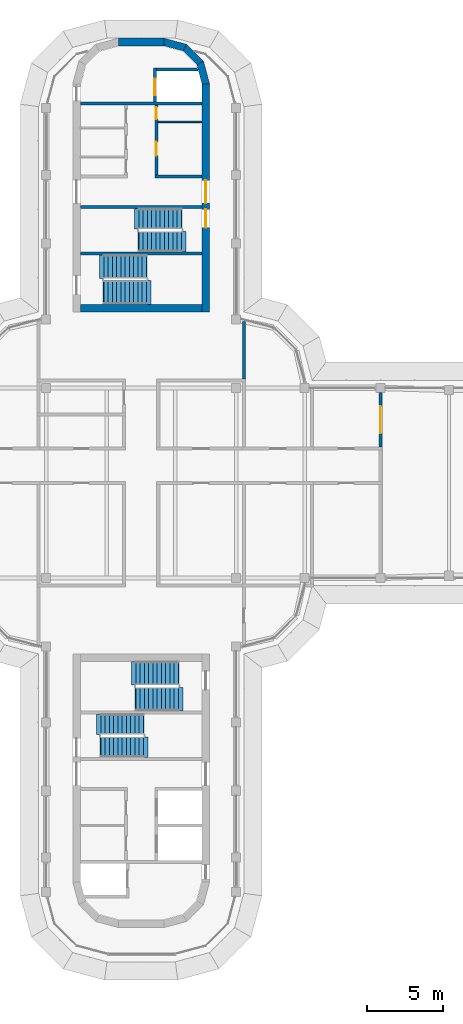
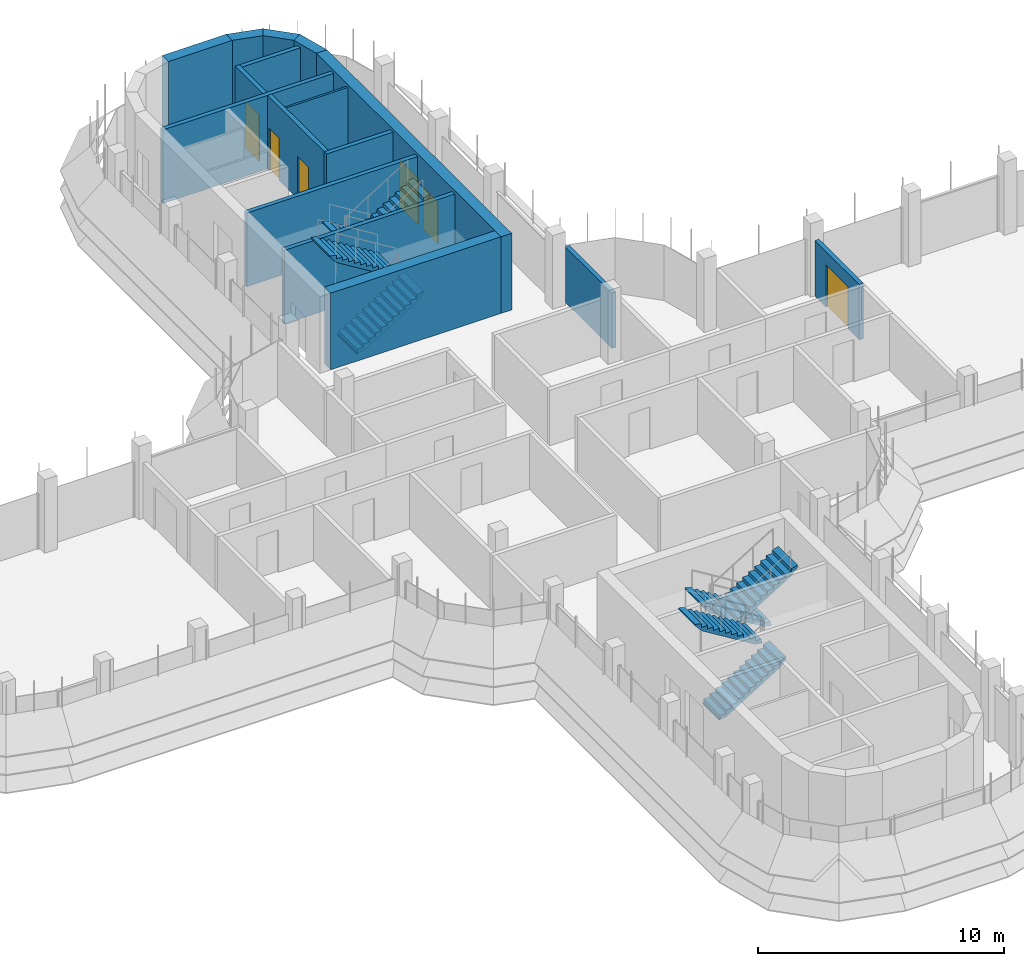
# One storey, part 15 of 19: 16 walls, 8 stair flights, 6 doors, 6 openings, 4 elements without a shape of their own.
"""IFC4 building model written with IfcOpenShell, lengths in metres."""

from ifc_helpers import new_model, si_unit, direction, frame, frame_2d, origin, place, context, subcontext, project, spatial, polyline, rectangle, outline, extrude, material, layer, layer_set, type_object, element, fill, aggregate, save


model = new_model("IFC4")

# Units and contexts
model_context = context("Model", 3, precision=1e-05, world=origin(), true_north=direction((0.0, 1.0)))
body_context = subcontext(model_context, "Body", "Model", "MODEL_VIEW")
ifc_project = project(units=[si_unit("LENGTHUNIT", "METRE"), si_unit("AREAUNIT", "SQUARE_METRE"), si_unit("VOLUMEUNIT", "CUBIC_METRE"), si_unit("PLANEANGLEUNIT", "RADIAN"), si_unit("MASSUNIT", "GRAM", prefix="KILO")], contexts=[model_context])

# Site, building, storey
site_placement = place(None, origin())
site = spatial("IfcSite", under=ifc_project, at=site_placement, CompositionType="ELEMENT")
building_placement = place(site_placement, origin())
building = spatial("IfcBuilding", under=site, at=building_placement, Name="Zarbagh Exchange Tower", CompositionType="ELEMENT")
storey_placement = place(building_placement, frame((0.0, 0.0, 261.199951171875)))
storey = spatial("IfcBuildingStorey", under=building, at=storey_placement, Name="L64", CompositionType="ELEMENT", Elevation=261.199951171875)

# Walls
ifc_material_1 = material(Name="Dense blockwork", Category="masonry")
ifc_layer_1 = layer(ifc_material_1, 0.10009765625)
ifc_layer_set_1 = layer_set([ifc_layer_1], Name="Core partition 100 mm blockwork")
wall_type_1 = type_object("IfcWallType", Name="Core partition 100 mm blockwork", PredefinedType="PARTITIONING", material=ifc_layer_set_1)
wall_1_placement = place(storey_placement, frame((1.10009765625, 23.75, 0.0), z_axis=(0.0, 0.0, 1.0), x_axis=(1.0, 0.0, 0.0)))
element("IfcWall", 1, at=wall_1_placement, inside=storey, type_object=wall_type_1, Name="North core partition wall CUT-E-460", PredefinedType="PARTITIONING", context=body_context, shape_type="SweptSolid", body=[
    extrude(rectangle(XDim=2.89990234375, YDim=0.10009765625, at=frame_2d((1.449951171875, 0.0))), origin(), (0.0, 0.0, 1.0), 3.650146484375),
])
ifc_material_2 = material(Name="Fire-rated plasterboard partition")
ifc_layer_2 = layer(ifc_material_2, 0.199951171875)
ifc_layer_set_2 = layer_set([ifc_layer_2], Name="RATED PARTITION 200")
wall_type_2 = type_object("IfcWallType", Name="RATED PARTITION 200", PredefinedType="PARTITIONING", material=ifc_layer_set_2)
wall_2_placement = place(storey_placement, frame((6.75, 6.85009765625, 0.0), z_axis=(0.0, 0.0, 1.0), x_axis=(0.0, 1.0, 0.0)))
element("IfcWall", 2, at=wall_2_placement, inside=storey, type_object=wall_type_2, Name="Partition W-2721", PredefinedType="PARTITIONING", context=body_context, shape_type="SweptSolid", body=[
    extrude(rectangle(XDim=3.77978515625, YDim=0.199951171875, at=frame_2d((1.889892578125, 0.0))), origin(), (0.0, 0.0, 1.0), 2.75),
])

# Wall, opening, door
wall_3_placement = place(storey_placement, frame((15.75, 5.949951171875, 0.0), z_axis=(0.0, 0.0, 1.0), x_axis=(0.0, -1.0, 0.0)))
wall_3 = element("IfcWall", 3, at=wall_3_placement, inside=storey, type_object=wall_type_2, Name="Partition W-2739", PredefinedType="PARTITIONING", context=body_context, shape_type="SweptSolid", body=[
    extrude(rectangle(XDim=3.599853515625, YDim=0.199951171875, at=frame_2d((1.7998046875, 0.0))), origin(), (0.0, 0.0, 1.0), 2.75),
])
opening_1_placement = place(wall_3_placement, frame((0.89990234375, 0.0, 0.0)))
opening_1 = element("IfcOpeningElement", 4, at=opening_1_placement, cuts=wall_3, Name="Opening D-2701", PredefinedType="OPENING", context=body_context, shape_type="SweptSolid", body=[
    extrude(rectangle(XDim=1.800048828125, YDim=2.10009765625, at=frame_2d((0.89990234375, 1.050048828125))), frame((0.0, 0.10986328125, 0.0), z_axis=(0.0, -1.0, 0.0), x_axis=(1.0, 0.0, 0.0)), (0.0, 0.0, 1.0), 0.219970703125),
])
ifc_material_3 = material(Name="Steel door set", Category="steel")
door_type_1 = type_object("IfcDoorType", Name="FIRE DOUBLE DOOR 1800 X 2100 FD30S", OperationType="DOUBLE_DOOR_SINGLE_SWING", PredefinedType="DOOR", material=ifc_material_3)
door_1_placement = place(opening_1_placement, origin())
door_1 = element("IfcDoor", 5, at=door_1_placement, inside=storey, type_object=door_type_1, Name="Door D-2701", OperationType="DOUBLE_DOOR_SINGLE_SWING", OverallHeight=2.10009765625, OverallWidth=1.800048828125, PredefinedType="DOOR", context=body_context, shape_type="SweptSolid", body=[
    extrude(rectangle(XDim=1.800048828125, YDim=2.10009765625, at=frame_2d((0.89990234375, 1.050048828125))), frame((0.0, 0.02490234375, 0.0), z_axis=(0.0, -1.0, 0.0), x_axis=(1.0, 0.0, 0.0)), (0.0, 0.0, 1.0), 0.050048828125),
])
fill(opening_1, door_1)

# Walls
ifc_material_4 = material(Name="Concrete C40/50", Category="concrete")
ifc_layer_3 = layer(ifc_material_4, 0.5)
ifc_layer_set_3 = layer_set([ifc_layer_3], Name="RC core corner wall 500 C40/50")
wall_type_3 = type_object("IfcWallType", Name="RC core corner wall 500 C40/50", PredefinedType="SHEAR", material=ifc_layer_set_3)
wall_4_placement = place(storey_placement, origin())
element("IfcWall", 6, at=wall_4_placement, inside=storey, type_object=wall_type_3, Name="CW10 core N corner E", PredefinedType="SHEAR", context=body_context, shape_type="SweptSolid", body=[
    extrude(outline(polyline([(4.5, 26.25), (4.09814453125, 27.75), (3.6650390625, 27.5), (4.0, 26.25), (4.5, 26.25)])), origin(), (0.0, 0.0, 1.0), 3.800048828125),
])
wall_5_placement = place(storey_placement, origin())
element("IfcWall", 7, at=wall_5_placement, inside=storey, type_object=wall_type_3, Name="CW10 core N corner E", PredefinedType="SHEAR", context=body_context, shape_type="SweptSolid", body=[
    extrude(outline(polyline([(4.09814453125, 27.75), (3.0, 28.84814453125), (2.75, 28.4150390625), (3.6650390625, 27.5), (4.09814453125, 27.75)])), origin(), (0.0, 0.0, 1.0), 3.800048828125),
])
wall_6_placement = place(storey_placement, origin())
element("IfcWall", 8, at=wall_6_placement, inside=storey, type_object=wall_type_3, Name="CW10 core N corner E", PredefinedType="SHEAR", context=body_context, shape_type="SweptSolid", body=[
    extrude(outline(polyline([(3.0, 28.84814453125), (1.5, 29.25), (1.5, 28.75), (2.75, 28.4150390625), (3.0, 28.84814453125)])), origin(), (0.0, 0.0, 1.0), 3.800048828125),
])

# Wall, openings, doors
ifc_layer_4 = layer(ifc_material_4, 0.5)
ifc_layer_set_4 = layer_set([ifc_layer_4], Name="RC core wall 500 C40/50")
wall_type_4 = type_object("IfcWallType", Name="RC core wall 500 C40/50", PredefinedType="SHEAR", material=ifc_layer_set_4)
wall_7_placement = place(storey_placement, frame((4.25, 11.25, 0.0), z_axis=(0.0, 0.0, 1.0), x_axis=(0.0, 1.0, 0.0)))
wall_7 = element("IfcWall", 9, at=wall_7_placement, inside=storey, type_object=wall_type_4, Name="CW9 core N E", PredefinedType="SHEAR", context=body_context, shape_type="SweptSolid", body=[
    extrude(rectangle(XDim=15.0, YDim=0.5, at=frame_2d((7.5, 0.0))), origin(), (0.0, 0.0, 1.0), 3.800048828125),
])
opening_2_placement = place(wall_7_placement, frame((7.14990234375, 0.0, 0.0)))
opening_2 = element("IfcOpeningElement", 10, at=opening_2_placement, cuts=wall_7, Name="Opening CD1-1500", PredefinedType="OPENING", context=body_context, shape_type="SweptSolid", body=[
    extrude(rectangle(XDim=1.5, YDim=2.300048828125, at=frame_2d((0.75, 1.14990234375))), frame((0.0, 0.260009765625, 0.0), z_axis=(0.0, -1.0, 0.0), x_axis=(1.0, 0.0, 0.0)), (0.0, 0.0, 1.0), 0.52001953125),
])
opening_3_placement = place(wall_7_placement, frame((5.550048828125, 0.0, 0.0)))
opening_3 = element("IfcOpeningElement", 11, at=opening_3_placement, cuts=wall_7, Name="Opening SD1-1200", PredefinedType="OPENING", context=body_context, shape_type="SweptSolid", body=[
    extrude(rectangle(XDim=1.199951171875, YDim=2.10009765625, at=frame_2d((0.60009765625, 1.050048828125))), frame((0.0, 0.260009765625, 0.0), z_axis=(0.0, -1.0, 0.0), x_axis=(1.0, 0.0, 0.0)), (0.0, 0.0, 1.0), 0.52001953125),
])
ifc_material_5 = material(Name="Steel", Category="steel")
door_type_2 = type_object("IfcDoorType", Name="Exit stair door 1200 x 2100", OperationType="NOTDEFINED", PredefinedType="DOOR", material=ifc_material_5)
door_2_placement = place(opening_3_placement, origin())
door_2 = element("IfcDoor", 12, at=door_2_placement, inside=storey, type_object=door_type_2, Name="North core stair door ST1", OperationType="SINGLE_SWING_LEFT", OverallHeight=2.10009765625, OverallWidth=1.199951171875, PredefinedType="DOOR", context=body_context, shape_type="SweptSolid", body=[
    extrude(rectangle(XDim=1.199951171875, YDim=2.10009765625, at=frame_2d((0.60009765625, 1.050048828125))), frame((0.0, 0.02490234375, 0.0), z_axis=(0.0, -1.0, 0.0), x_axis=(1.0, 0.0, 0.0)), (0.0, 0.0, 1.0), 0.050048828125),
])
fill(opening_3, door_2)
door_type_3 = type_object("IfcDoorType", Name="Lift lobby double door 1500 x 2300", OperationType="NOTDEFINED", PredefinedType="DOOR", material=ifc_material_5)
door_3_placement = place(opening_2_placement, origin())
door_3 = element("IfcDoor", 13, at=door_3_placement, inside=storey, type_object=door_type_3, Name="North core lift lobby door LOBBY-E", OperationType="DOUBLE_DOOR_SINGLE_SWING", OverallHeight=2.300048828125, OverallWidth=1.5, PredefinedType="DOOR", context=body_context, shape_type="SweptSolid", body=[
    extrude(rectangle(XDim=1.5, YDim=2.300048828125, at=frame_2d((0.75, 1.14990234375))), frame((0.0, 0.02490234375, 0.0), z_axis=(0.0, -1.0, 0.0), x_axis=(1.0, 0.0, 0.0)), (0.0, 0.0, 1.0), 0.050048828125),
])
fill(opening_2, door_3)

# Walls
wall_8_placement = place(storey_placement, frame((-4.0, 11.5, 0.0), z_axis=(0.0, 0.0, 1.0), x_axis=(1.0, 0.0, 0.0)))
element("IfcWall", 14, at=wall_8_placement, inside=storey, type_object=wall_type_4, Name="CW9 core N inner end", PredefinedType="SHEAR", context=body_context, shape_type="SweptSolid", body=[
    extrude(rectangle(XDim=8.0, YDim=0.5, at=frame_2d((4.0, 0.0))), origin(), (0.0, 0.0, 1.0), 3.800048828125),
])
wall_9_placement = place(storey_placement, frame((-1.5, 29.0, 0.0), z_axis=(0.0, 0.0, 1.0), x_axis=(1.0, 0.0, 0.0)))
element("IfcWall", 15, at=wall_9_placement, inside=storey, type_object=wall_type_4, Name="CW9 core N outer end", PredefinedType="SHEAR", context=body_context, shape_type="SweptSolid", body=[
    extrude(rectangle(XDim=3.0, YDim=0.5, at=frame_2d((1.5, 0.0))), origin(), (0.0, 0.0, 1.0), 3.800048828125),
])
ifc_layer_5 = layer(ifc_material_1, 0.199951171875)
ifc_layer_set_5 = layer_set([ifc_layer_5], Name="Shaft wall 200 mm blockwork")
wall_type_5 = type_object("IfcWallType", Name="Shaft wall 200 mm blockwork", PredefinedType="PARTITIONING", material=ifc_layer_set_5)
wall_10_placement = place(storey_placement, frame((0.89990234375, 20.14990234375, 0.0), z_axis=(0.0, 0.0, 1.0), x_axis=(1.0, 0.0, 0.0)))
element("IfcWall", 16, at=wall_10_placement, inside=storey, type_object=wall_type_5, Name="North core shaft wall AB-E", PredefinedType="PARTITIONING", context=body_context, shape_type="SweptSolid", body=[
    extrude(rectangle(XDim=3.10009765625, YDim=0.199951171875, at=frame_2d((1.550048828125, 0.0))), origin(), (0.0, 0.0, 1.0), 3.650146484375),
])

# Wall, openings, doors
wall_11_placement = place(storey_placement, frame((1.0, 24.85009765625, 0.0), z_axis=(0.0, 0.0, 1.0), x_axis=(0.0, -1.0, 0.0)))
wall_11 = element("IfcWall", 17, at=wall_11_placement, inside=storey, type_object=wall_type_5, Name="North core shaft wall LW-E", PredefinedType="PARTITIONING", context=body_context, shape_type="SweptSolid", body=[
    extrude(rectangle(XDim=4.60009765625, YDim=0.199951171875, at=frame_2d((2.300048828125, 0.0))), origin(), (0.0, 0.0, 1.0), 3.650146484375),
])
opening_4_placement = place(wall_11_placement, frame((0.125, 0.0, 0.0)))
opening_4 = element("IfcOpeningElement", 18, at=opening_4_placement, cuts=wall_11, Name="Opening CD3-800", PredefinedType="OPENING", context=body_context, shape_type="SweptSolid", body=[
    extrude(rectangle(XDim=0.800048828125, YDim=2.10009765625, at=frame_2d((0.39990234375, 1.050048828125))), frame((0.0, 0.10986328125, 0.0), z_axis=(0.0, -1.0, 0.0), x_axis=(1.0, 0.0, 0.0)), (0.0, 0.0, 1.0), 0.219970703125),
])
opening_5_placement = place(wall_11_placement, frame((2.425048828125, 0.0, 0.0)))
opening_5 = element("IfcOpeningElement", 19, at=opening_5_placement, cuts=wall_11, Name="Opening CD3-900", PredefinedType="OPENING", context=body_context, shape_type="SweptSolid", body=[
    extrude(rectangle(XDim=0.89990234375, YDim=2.10009765625, at=frame_2d((0.449951171875, 1.050048828125))), frame((0.0, 0.10986328125, 0.0), z_axis=(0.0, -1.0, 0.0), x_axis=(1.0, 0.0, 0.0)), (0.0, 0.0, 1.0), 0.219970703125),
])
door_type_4 = type_object("IfcDoorType", Name="Core room door 800 x 2100", OperationType="NOTDEFINED", PredefinedType="DOOR", material=ifc_material_5)
door_4_placement = place(opening_4_placement, origin())
door_4 = element("IfcDoor", 20, at=door_4_placement, inside=storey, type_object=door_type_4, Name="North core Store door RD-E-0", OperationType="SINGLE_SWING_LEFT", OverallHeight=2.10009765625, OverallWidth=0.800048828125, PredefinedType="DOOR", context=body_context, shape_type="SweptSolid", body=[
    extrude(rectangle(XDim=0.800048828125, YDim=2.10009765625, at=frame_2d((0.39990234375, 1.050048828125))), frame((0.0, 0.02490234375, 0.0), z_axis=(0.0, -1.0, 0.0), x_axis=(1.0, 0.0, 0.0)), (0.0, 0.0, 1.0), 0.050048828125),
])
fill(opening_4, door_4)
door_type_5 = type_object("IfcDoorType", Name="Core room door 900 x 2100", OperationType="NOTDEFINED", PredefinedType="DOOR", material=ifc_material_5)
door_5_placement = place(opening_5_placement, origin())
door_5 = element("IfcDoor", 21, at=door_5_placement, inside=storey, type_object=door_type_5, Name="North core Staff WC door RD-E-1", OperationType="SINGLE_SWING_RIGHT", OverallHeight=2.10009765625, OverallWidth=0.89990234375, PredefinedType="DOOR", context=body_context, shape_type="SweptSolid", body=[
    extrude(rectangle(XDim=0.89990234375, YDim=2.10009765625, at=frame_2d((0.449951171875, 1.050048828125))), frame((0.0, 0.02490234375, 0.0), z_axis=(0.0, -1.0, 0.0), x_axis=(1.0, 0.0, 0.0)), (0.0, 0.0, 1.0), 0.050048828125),
])
fill(opening_5, door_5)

# Wall
ifc_layer_6 = layer(ifc_material_4, 0.199951171875)
ifc_layer_set_6 = layer_set([ifc_layer_6], Name="Stair enclosure wall 200 mm RC C40/50")
wall_type_6 = type_object("IfcWallType", Name="Stair enclosure wall 200 mm RC C40/50", PredefinedType="SHEAR", material=ifc_layer_set_6)
wall_12_placement = place(storey_placement, frame((-4.0, 24.949951171875, 0.0), z_axis=(0.0, 0.0, 1.0), x_axis=(1.0, 0.0, 0.0)))
element("IfcWall", 22, at=wall_12_placement, inside=storey, type_object=wall_type_6, Name="North core lift shaft wall FFA", PredefinedType="SHEAR", context=body_context, shape_type="SweptSolid", body=[
    extrude(rectangle(XDim=8.0, YDim=0.199951171875, at=frame_2d((4.0, 0.0))), origin(), (0.0, 0.0, 1.0), 3.650146484375),
])

# Wall, opening, door
wall_13_placement = place(storey_placement, frame((0.89990234375, 27.300048828125, 0.0), z_axis=(0.0, 0.0, 1.0), x_axis=(0.0, -1.0, 0.0)))
wall_13 = element("IfcWall", 23, at=wall_13_placement, inside=storey, type_object=wall_type_6, Name="North core lift shaft wall FFL", PredefinedType="SHEAR", context=body_context, shape_type="SweptSolid", body=[
    extrude(rectangle(XDim=2.25, YDim=0.199951171875, at=frame_2d((1.125, 0.0))), origin(), (0.0, 0.0, 1.0), 3.650146484375),
])
opening_6_placement = place(wall_13_placement, frame((0.699951171875, 0.0, 0.0)))
opening_6 = element("IfcOpeningElement", 24, at=opening_6_placement, cuts=wall_13, Name="Opening LD-1100", PredefinedType="OPENING", context=body_context, shape_type="SweptSolid", body=[
    extrude(rectangle(XDim=1.10009765625, YDim=2.300048828125, at=frame_2d((0.550048828125, 1.14990234375))), frame((0.0, 0.10986328125, 0.0), z_axis=(0.0, -1.0, 0.0), x_axis=(1.0, 0.0, 0.0)), (0.0, 0.0, 1.0), 0.219970703125),
])
ifc_material_6 = material(Name="Stainless steel", Category="steel")
door_type_6 = type_object("IfcDoorType", Name="Lift landing door 1100 x 2300", OperationType="NOTDEFINED", PredefinedType="DOOR", material=ifc_material_6)
door_6_placement = place(opening_6_placement, origin())
door_6 = element("IfcDoor", 25, at=door_6_placement, inside=storey, type_object=door_type_6, Name="North core lift landing door LD-F", OperationType="DOUBLE_DOOR_SLIDING", OverallHeight=2.300048828125, OverallWidth=1.10009765625, PredefinedType="DOOR", context=body_context, shape_type="SweptSolid", body=[
    extrude(rectangle(XDim=1.10009765625, YDim=2.300048828125, at=frame_2d((0.550048828125, 1.14990234375))), frame((0.0, 0.02490234375, 0.0), z_axis=(0.0, -1.0, 0.0), x_axis=(1.0, 0.0, 0.0)), (0.0, 0.0, 1.0), 0.050048828125),
])
fill(opening_6, door_6)

# Walls
wall_14_placement = place(storey_placement, origin())
element("IfcWall", 26, at=wall_14_placement, inside=storey, type_object=wall_type_6, Name="North core lift shaft wall FFX", PredefinedType="SHEAR", context=body_context, shape_type="SweptSolid", body=[
    extrude(outline(polyline([(1.0, 27.10009765625), (3.754638671875, 27.10009765625), (3.700927734375, 27.300048828125), (1.0, 27.300048828125), (1.0, 27.10009765625)])), origin(), (0.0, 0.0, 1.0), 3.650146484375),
])
for number, where, z_axis, x_axis, name in (
    (27, (-4.0, 18.14990234375, 0.0), (0.0, 0.0, 1.0), (1.0, 0.0, 0.0), "North core stair wall BS"),
    (28, (-4.0, 15.10009765625, 0.0), (0.0, 0.0, 1.0), (1.0, 0.0, 0.0), "North core stair wall ST12"),
):
    element("IfcWall", number, at=place(storey_placement, frame(where, z_axis=z_axis, x_axis=x_axis)), inside=storey, type_object=wall_type_6, Name=name, PredefinedType="SHEAR", context=body_context, shape_type="SweptSolid", body=[
        extrude(rectangle(XDim=8.0, YDim=0.199951171875, at=frame_2d((4.0, 0.0))), origin(), (0.0, 0.0, 1.0), 3.650146484375),
    ])

# Stair, stair flights
stair_type = type_object("IfcStairType", Name="Exit stair two-flight half-turn", PredefinedType="HALF_TURN_STAIR", material=ifc_material_4)
stair_1_placement = place(storey_placement, origin())
stair_1 = element("IfcStair", 29, at=stair_1_placement, inside=storey, type_object=stair_type, Name="exit stair ST1", PredefinedType="HALF_TURN_STAIR")
stair_flight_type_1 = type_object("IfcStairFlightType", Name="Stair flight 1350 mm", PredefinedType="STRAIGHT", material=ifc_material_4)
stair_flight_1_placement = place(storey_placement, frame((2.64990234375, 17.375, 0.0), z_axis=(0.0, 0.0, 1.0), x_axis=(-1.0, 0.0, 0.0)))
stair_flight_1 = element("IfcStairFlight", 30, at=stair_flight_1_placement, type_object=stair_flight_type_1, Name="ST1 flight 1", NumberOfRisers=11, NumberOfTreads=10, PredefinedType="STRAIGHT", RiserHeight=0.172727273, TreadLength=0.28, context=body_context, shape_type="SweptSolid", body=[
    extrude(outline(polyline([(-0.050048828125, -0.050048828125), (-0.050048828125, 0.0), (0.0, 0.0), (0.0, 0.172607421875), (0.280029296875, 0.172607421875), (0.280029296875, 0.345458984375), (0.56005859375, 0.345458984375), (0.56005859375, 0.51806640625), (0.840087890625, 0.51806640625), (0.840087890625, 0.69091796875), (1.1201171875, 0.69091796875), (1.1201171875, 0.863525390625), (1.39990234375, 0.863525390625), (1.39990234375, 1.036376953125), (1.679931640625, 1.036376953125), (1.679931640625, 1.208984375), (1.9599609375, 1.208984375), (1.9599609375, 1.3818359375), (2.239990234375, 1.3818359375), (2.239990234375, 1.554443359375), (2.52001953125, 1.554443359375), (2.52001953125, 1.727294921875), (2.800048828125, 1.727294921875), (2.800048828125, 1.89990234375), (3.10009765625, 1.97998046875), (3.10009765625, 1.89990234375), (2.800048828125, 1.551025390625), (0.285400390625, 0.0), (-0.050048828125, -0.050048828125)])), frame((0.0, 0.675048828125, 0.0), z_axis=(0.0, -1.0, 0.0), x_axis=(1.0, 0.0, 0.0)), (0.0, 0.0, 1.0), 1.35009765625),
])
stair_flight_2_placement = place(storey_placement, frame((-0.14990234375, 15.875, 1.900146484375), z_axis=(0.0, 0.0, 1.0), x_axis=(1.0, 0.0, 0.0)))
stair_flight_2 = element("IfcStairFlight", 31, at=stair_flight_2_placement, type_object=stair_flight_type_1, Name="ST1 flight 2", NumberOfRisers=11, NumberOfTreads=10, PredefinedType="STRAIGHT", RiserHeight=0.172727273, TreadLength=0.28, context=body_context, shape_type="SweptSolid", body=[
    extrude(outline(polyline([(-0.050048828125, -0.050048828125), (-0.050048828125, 0.0), (0.0, 0.0), (0.0, 0.172607421875), (0.280029296875, 0.172607421875), (0.280029296875, 0.345458984375), (0.56005859375, 0.345458984375), (0.56005859375, 0.51806640625), (0.840087890625, 0.51806640625), (0.840087890625, 0.69091796875), (1.1201171875, 0.69091796875), (1.1201171875, 0.863525390625), (1.39990234375, 0.863525390625), (1.39990234375, 1.036376953125), (1.679931640625, 1.036376953125), (1.679931640625, 1.208984375), (1.9599609375, 1.208984375), (1.9599609375, 1.3818359375), (2.239990234375, 1.3818359375), (2.239990234375, 1.554443359375), (2.52001953125, 1.554443359375), (2.52001953125, 1.727294921875), (2.800048828125, 1.727294921875), (2.800048828125, 1.89990234375), (3.10009765625, 1.97998046875), (3.10009765625, 1.89990234375), (2.800048828125, 1.551025390625), (0.285400390625, 0.0), (-0.050048828125, -0.050048828125)])), frame((0.0, 0.675048828125, 0.0), z_axis=(0.0, -1.0, 0.0), x_axis=(1.0, 0.0, 0.0)), (0.0, 0.0, 1.0), 1.35009765625),
])
aggregate(stair_1, [stair_flight_1, stair_flight_2])

stair_2_placement = place(storey_placement, origin())
stair_2 = element("IfcStair", 32, at=stair_2_placement, inside=storey, type_object=stair_type, Name="exit stair ST3", PredefinedType="HALF_TURN_STAIR")
stair_flight_3_placement = place(storey_placement, frame((-2.64990234375, -17.375, 0.0), z_axis=(0.0, 0.0, 1.0), x_axis=(1.0, 0.0, 0.0)))
stair_flight_3 = element("IfcStairFlight", 33, at=stair_flight_3_placement, type_object=stair_flight_type_1, Name="ST3 flight 1", NumberOfRisers=11, NumberOfTreads=10, PredefinedType="STRAIGHT", RiserHeight=0.172727273, TreadLength=0.28, context=body_context, shape_type="SweptSolid", body=[
    extrude(outline(polyline([(-0.050048828125, -0.050048828125), (-0.050048828125, 0.0), (0.0, 0.0), (0.0, 0.172607421875), (0.280029296875, 0.172607421875), (0.280029296875, 0.345458984375), (0.56005859375, 0.345458984375), (0.56005859375, 0.51806640625), (0.840087890625, 0.51806640625), (0.840087890625, 0.69091796875), (1.1201171875, 0.69091796875), (1.1201171875, 0.863525390625), (1.39990234375, 0.863525390625), (1.39990234375, 1.036376953125), (1.679931640625, 1.036376953125), (1.679931640625, 1.208984375), (1.9599609375, 1.208984375), (1.9599609375, 1.3818359375), (2.239990234375, 1.3818359375), (2.239990234375, 1.554443359375), (2.52001953125, 1.554443359375), (2.52001953125, 1.727294921875), (2.800048828125, 1.727294921875), (2.800048828125, 1.89990234375), (3.10009765625, 1.97998046875), (3.10009765625, 1.89990234375), (2.800048828125, 1.551025390625), (0.285400390625, 0.0), (-0.050048828125, -0.050048828125)])), frame((0.0, 0.675048828125, 0.0), z_axis=(0.0, -1.0, 0.0), x_axis=(1.0, 0.0, 0.0)), (0.0, 0.0, 1.0), 1.35009765625),
])
stair_flight_4_placement = place(storey_placement, frame((0.14990234375, -15.875, 1.900146484375), z_axis=(0.0, 0.0, 1.0), x_axis=(-1.0, 0.0, 0.0)))
stair_flight_4 = element("IfcStairFlight", 34, at=stair_flight_4_placement, type_object=stair_flight_type_1, Name="ST3 flight 2", NumberOfRisers=11, NumberOfTreads=10, PredefinedType="STRAIGHT", RiserHeight=0.172727273, TreadLength=0.28, context=body_context, shape_type="SweptSolid", body=[
    extrude(outline(polyline([(-0.050048828125, -0.050048828125), (-0.050048828125, 0.0), (0.0, 0.0), (0.0, 0.172607421875), (0.280029296875, 0.172607421875), (0.280029296875, 0.345458984375), (0.56005859375, 0.345458984375), (0.56005859375, 0.51806640625), (0.840087890625, 0.51806640625), (0.840087890625, 0.69091796875), (1.1201171875, 0.69091796875), (1.1201171875, 0.863525390625), (1.39990234375, 0.863525390625), (1.39990234375, 1.036376953125), (1.679931640625, 1.036376953125), (1.679931640625, 1.208984375), (1.9599609375, 1.208984375), (1.9599609375, 1.3818359375), (2.239990234375, 1.3818359375), (2.239990234375, 1.554443359375), (2.52001953125, 1.554443359375), (2.52001953125, 1.727294921875), (2.800048828125, 1.727294921875), (2.800048828125, 1.89990234375), (3.10009765625, 1.97998046875), (3.10009765625, 1.89990234375), (2.800048828125, 1.551025390625), (0.285400390625, 0.0), (-0.050048828125, -0.050048828125)])), frame((0.0, 0.675048828125, 0.0), z_axis=(0.0, -1.0, 0.0), x_axis=(1.0, 0.0, 0.0)), (0.0, 0.0, 1.0), 1.35009765625),
])
aggregate(stair_2, [stair_flight_3, stair_flight_4])

stair_3_placement = place(storey_placement, origin())
stair_3 = element("IfcStair", 35, at=stair_3_placement, inside=storey, type_object=stair_type, Name="exit stair ST2", PredefinedType="HALF_TURN_STAIR")
stair_flight_type_2 = type_object("IfcStairFlightType", Name="Stair flight 1550 mm", PredefinedType="STRAIGHT", material=ifc_material_4)
stair_flight_5_placement = place(storey_placement, frame((-2.449951171875, 12.52490234375, 0.0), z_axis=(0.0, 0.0, 1.0), x_axis=(1.0, 0.0, 0.0)))
stair_flight_5 = element("IfcStairFlight", 36, at=stair_flight_5_placement, type_object=stair_flight_type_2, Name="ST2 flight 1", NumberOfRisers=11, NumberOfTreads=10, PredefinedType="STRAIGHT", RiserHeight=0.172727273, TreadLength=0.28, context=body_context, shape_type="SweptSolid", body=[
    extrude(outline(polyline([(-0.050048828125, -0.050048828125), (-0.050048828125, 0.0), (0.0, 0.0), (0.0, 0.172607421875), (0.280029296875, 0.172607421875), (0.280029296875, 0.345458984375), (0.56005859375, 0.345458984375), (0.56005859375, 0.51806640625), (0.840087890625, 0.51806640625), (0.840087890625, 0.69091796875), (1.1201171875, 0.69091796875), (1.1201171875, 0.863525390625), (1.39990234375, 0.863525390625), (1.39990234375, 1.036376953125), (1.679931640625, 1.036376953125), (1.679931640625, 1.208984375), (1.9599609375, 1.208984375), (1.9599609375, 1.3818359375), (2.239990234375, 1.3818359375), (2.239990234375, 1.554443359375), (2.52001953125, 1.554443359375), (2.52001953125, 1.727294921875), (2.800048828125, 1.727294921875), (2.800048828125, 1.89990234375), (3.10009765625, 1.97998046875), (3.10009765625, 1.89990234375), (2.800048828125, 1.551025390625), (0.285400390625, 0.0), (-0.050048828125, -0.050048828125)])), frame((0.0, 0.77490234375, 0.0), z_axis=(0.0, -1.0, 0.0), x_axis=(1.0, 0.0, 0.0)), (0.0, 0.0, 1.0), 1.550048828125),
])
stair_flight_6_placement = place(storey_placement, frame((0.35009765625, 14.22509765625, 1.900146484375), z_axis=(0.0, 0.0, 1.0), x_axis=(-1.0, 0.0, 0.0)))
stair_flight_6 = element("IfcStairFlight", 37, at=stair_flight_6_placement, type_object=stair_flight_type_2, Name="ST2 flight 2", NumberOfRisers=11, NumberOfTreads=10, PredefinedType="STRAIGHT", RiserHeight=0.172727273, TreadLength=0.28, context=body_context, shape_type="SweptSolid", body=[
    extrude(outline(polyline([(-0.050048828125, -0.050048828125), (-0.050048828125, 0.0), (0.0, 0.0), (0.0, 0.172607421875), (0.280029296875, 0.172607421875), (0.280029296875, 0.345458984375), (0.56005859375, 0.345458984375), (0.56005859375, 0.51806640625), (0.840087890625, 0.51806640625), (0.840087890625, 0.69091796875), (1.1201171875, 0.69091796875), (1.1201171875, 0.863525390625), (1.39990234375, 0.863525390625), (1.39990234375, 1.036376953125), (1.679931640625, 1.036376953125), (1.679931640625, 1.208984375), (1.9599609375, 1.208984375), (1.9599609375, 1.3818359375), (2.239990234375, 1.3818359375), (2.239990234375, 1.554443359375), (2.52001953125, 1.554443359375), (2.52001953125, 1.727294921875), (2.800048828125, 1.727294921875), (2.800048828125, 1.89990234375), (3.10009765625, 1.97998046875), (3.10009765625, 1.89990234375), (2.800048828125, 1.551025390625), (0.285400390625, 0.0), (-0.050048828125, -0.050048828125)])), frame((0.0, 0.77490234375, 0.0), z_axis=(0.0, -1.0, 0.0), x_axis=(1.0, 0.0, 0.0)), (0.0, 0.0, 1.0), 1.550048828125),
])
aggregate(stair_3, [stair_flight_5, stair_flight_6])

stair_4_placement = place(storey_placement, origin())
stair_4 = element("IfcStair", 38, at=stair_4_placement, inside=storey, type_object=stair_type, Name="exit stair ST4", PredefinedType="HALF_TURN_STAIR")
stair_flight_7_placement = place(storey_placement, frame((2.449951171875, -12.52490234375, 0.0), z_axis=(0.0, 0.0, 1.0), x_axis=(-1.0, 0.0, 0.0)))
stair_flight_7 = element("IfcStairFlight", 39, at=stair_flight_7_placement, type_object=stair_flight_type_2, Name="ST4 flight 1", NumberOfRisers=11, NumberOfTreads=10, PredefinedType="STRAIGHT", RiserHeight=0.172727273, TreadLength=0.28, context=body_context, shape_type="SweptSolid", body=[
    extrude(outline(polyline([(-0.050048828125, -0.050048828125), (-0.050048828125, 0.0), (0.0, 0.0), (0.0, 0.172607421875), (0.280029296875, 0.172607421875), (0.280029296875, 0.345458984375), (0.56005859375, 0.345458984375), (0.56005859375, 0.51806640625), (0.840087890625, 0.51806640625), (0.840087890625, 0.69091796875), (1.1201171875, 0.69091796875), (1.1201171875, 0.863525390625), (1.39990234375, 0.863525390625), (1.39990234375, 1.036376953125), (1.679931640625, 1.036376953125), (1.679931640625, 1.208984375), (1.9599609375, 1.208984375), (1.9599609375, 1.3818359375), (2.239990234375, 1.3818359375), (2.239990234375, 1.554443359375), (2.52001953125, 1.554443359375), (2.52001953125, 1.727294921875), (2.800048828125, 1.727294921875), (2.800048828125, 1.89990234375), (3.10009765625, 1.97998046875), (3.10009765625, 1.89990234375), (2.800048828125, 1.551025390625), (0.285400390625, 0.0), (-0.050048828125, -0.050048828125)])), frame((0.0, 0.77490234375, 0.0), z_axis=(0.0, -1.0, 0.0), x_axis=(1.0, 0.0, 0.0)), (0.0, 0.0, 1.0), 1.550048828125),
])
stair_flight_8_placement = place(storey_placement, frame((-0.35009765625, -14.22509765625, 1.900146484375), z_axis=(0.0, 0.0, 1.0), x_axis=(1.0, 0.0, 0.0)))
stair_flight_8 = element("IfcStairFlight", 40, at=stair_flight_8_placement, type_object=stair_flight_type_2, Name="ST4 flight 2", NumberOfRisers=11, NumberOfTreads=10, PredefinedType="STRAIGHT", RiserHeight=0.172727273, TreadLength=0.28, context=body_context, shape_type="SweptSolid", body=[
    extrude(outline(polyline([(-0.050048828125, -0.050048828125), (-0.050048828125, 0.0), (0.0, 0.0), (0.0, 0.172607421875), (0.280029296875, 0.172607421875), (0.280029296875, 0.345458984375), (0.56005859375, 0.345458984375), (0.56005859375, 0.51806640625), (0.840087890625, 0.51806640625), (0.840087890625, 0.69091796875), (1.1201171875, 0.69091796875), (1.1201171875, 0.863525390625), (1.39990234375, 0.863525390625), (1.39990234375, 1.036376953125), (1.679931640625, 1.036376953125), (1.679931640625, 1.208984375), (1.9599609375, 1.208984375), (1.9599609375, 1.3818359375), (2.239990234375, 1.3818359375), (2.239990234375, 1.554443359375), (2.52001953125, 1.554443359375), (2.52001953125, 1.727294921875), (2.800048828125, 1.727294921875), (2.800048828125, 1.89990234375), (3.10009765625, 1.97998046875), (3.10009765625, 1.89990234375), (2.800048828125, 1.551025390625), (0.285400390625, 0.0), (-0.050048828125, -0.050048828125)])), frame((0.0, 0.77490234375, 0.0), z_axis=(0.0, -1.0, 0.0), x_axis=(1.0, 0.0, 0.0)), (0.0, 0.0, 1.0), 1.550048828125),
])
aggregate(stair_4, [stair_flight_7, stair_flight_8])

save(model, "model.ifc")
